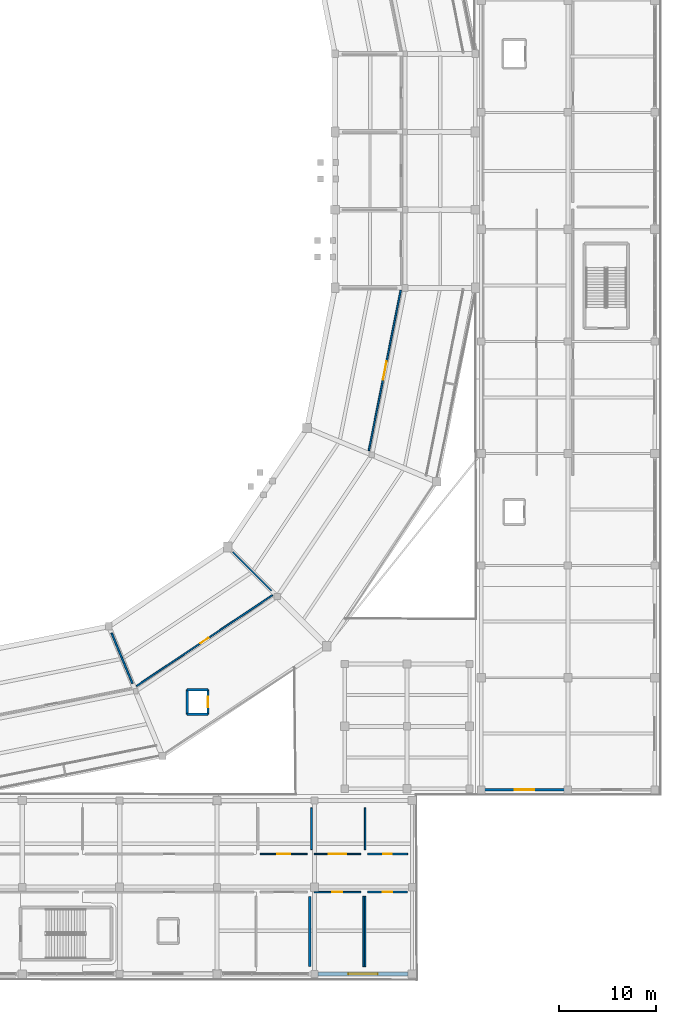
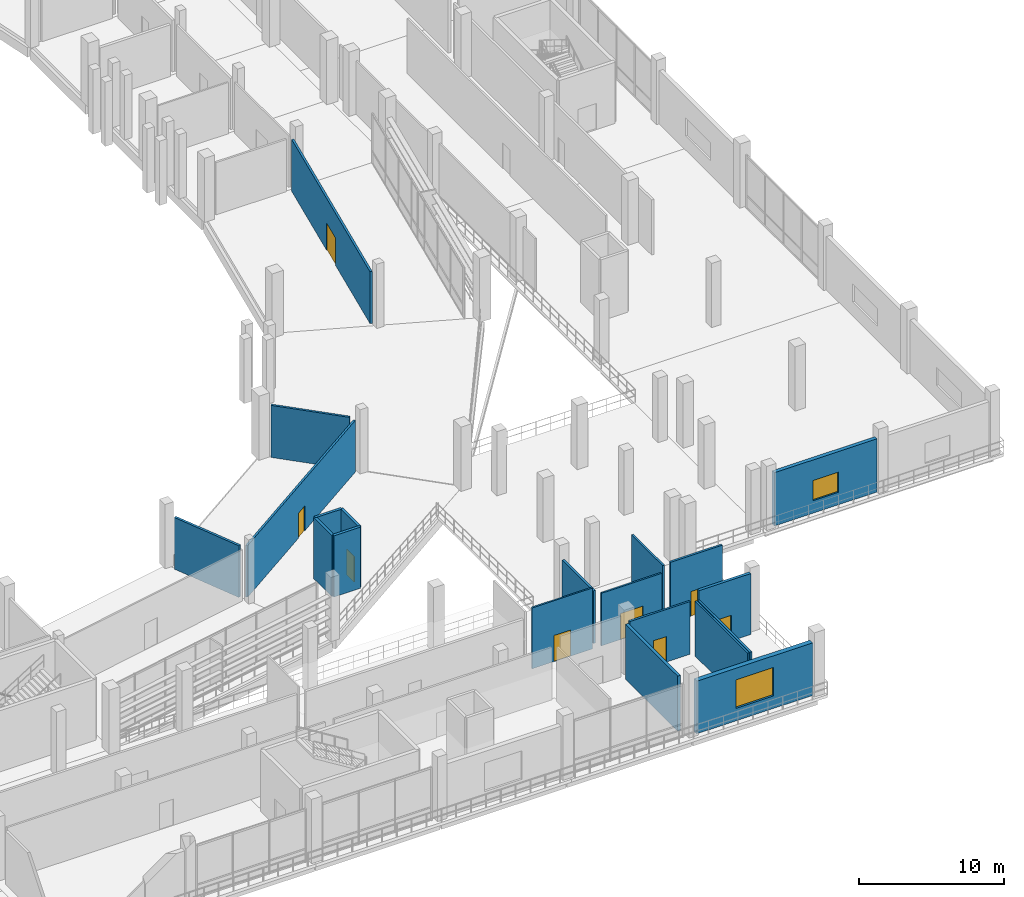
# One storey, part 77 of 114: 20 walls, 8 doors, 2 windows, 10 openings.
"""IFC4 building model written with IfcOpenShell, lengths in metres."""

from ifc_helpers import new_model, si_unit, direction, frame, frame_2d, origin, place, context, subcontext, project, spatial, rectangle, extrude, material, layer, layer_set, type_object, element, fill, save


model = new_model("IFC4")

# Units and contexts
model_context = context("Model", 3, precision=1e-05, world=origin(), true_north=direction((0.0, 1.0)))
body_context = subcontext(model_context, "Body", "Model", "MODEL_VIEW")
ifc_project = project(units=[si_unit("LENGTHUNIT", "METRE"), si_unit("AREAUNIT", "SQUARE_METRE"), si_unit("VOLUMEUNIT", "CUBIC_METRE"), si_unit("PLANEANGLEUNIT", "RADIAN"), si_unit("MASSUNIT", "GRAM", prefix="KILO")], contexts=[model_context])

# Site, building, storey
site_placement = place(None, origin())
site = spatial("IfcSite", under=ifc_project, at=site_placement, CompositionType="ELEMENT")
building_placement = place(site_placement, origin())
building = spatial("IfcBuilding", under=site, at=building_placement, Name="Candeia Ridge Stadium", CompositionType="ELEMENT")
storey_placement = place(building_placement, frame((0.0, 0.0, 5.39990234375)))
storey = spatial("IfcBuildingStorey", under=building, at=storey_placement, Name="L01", CompositionType="ELEMENT", Elevation=5.39990234375)

# Wall
ifc_material_1 = material(Name="Gypsum Metal-Stud Partition", Category="gypsum")
ifc_layer_1 = layer(ifc_material_1, 0.14501953125, Name="Gypsum Metal-Stud Partition", Category="gypsum")
ifc_layer_set_1 = layer_set([ifc_layer_1], Name="Gypsum Metal-Stud Partition")
wall_type_1 = type_object("IfcWallType", Name="Athlete Recovery Partition 145", PredefinedType="PARTITIONING", material=ifc_layer_set_1)
wall_1_placement = place(storey_placement, frame((181.5, 8.550048828125, 0.0), z_axis=(0.0, 0.0, 1.0), x_axis=(0.0, -1.0, 0.0)))
element("IfcWall", 1, at=wall_1_placement, inside=storey, type_object=wall_type_1, Name="Demising partition PT-L01-0245", PredefinedType="PARTITIONING", context=body_context, shape_type="SweptSolid", body=[
    extrude(rectangle(XDim=7.199951171875, YDim=0.14501953125, at=frame_2d((3.60009765625, 0.0))), origin(), (0.0, 0.0, 1.0), 4.625),
])

# Wall, opening, door
ifc_material_2 = material(Name="Gypsum Acoustic Twin-Stud Assembly", Category="gypsum")
ifc_layer_2 = layer(ifc_material_2, 0.159912109375, Name="Gypsum Acoustic Twin-Stud Assembly", Category="gypsum")
ifc_layer_set_2 = layer_set([ifc_layer_2], Name="Gypsum Acoustic Twin-Stud Assembly")
wall_type_2 = type_object("IfcWallType", Name="Club Dining Acoustic Partition 160", PredefinedType="PARTITIONING", material=ifc_layer_set_2)
wall_2_placement = place(storey_placement, frame((172.1875, 39.465576171875, 0.0), z_axis=(0.0, 0.0, 1.0), x_axis=(-0.831467963177, -0.555572701103, 0.0)))
wall_2 = element("IfcWall", 2, at=wall_2_placement, inside=storey, type_object=wall_type_2, Name="Interior partition PT-L01-0318", PredefinedType="PARTITIONING", context=body_context, shape_type="SweptSolid", body=[
    extrude(rectangle(XDim=16.782958984375, YDim=0.159912109375, at=frame_2d((8.3916015625, 0.0))), origin(), (0.0, 0.0, 1.0), 4.34521484375),
])
opening_1_placement = place(wall_2_placement, frame((7.8916015625, 0.0, 0.0)))
opening_1 = element("IfcOpeningElement", 3, at=opening_1_placement, cuts=wall_2, Name="Opening ID06", PredefinedType="OPENING", context=body_context, shape_type="SweptSolid", body=[
    extrude(rectangle(XDim=1.0, YDim=2.10009765625, at=frame_2d((0.5, 1.050048828125))), frame((0.0, 0.08984375, 0.0), z_axis=(0.0, -1.0, 0.0), x_axis=(1.0, 0.0, 0.0)), (0.0, 0.0, 1.0), 0.179931640625),
])
ifc_material_3 = material(Name="Moisture-Resistant Laminate", Category="wood")
door_type_1 = type_object("IfcDoorType", Name="Accessible Sanitary Door 1000x2100", OperationType="NOTDEFINED", PredefinedType="DOOR", material=ifc_material_3)
door_1_placement = place(opening_1_placement, origin())
door_1 = element("IfcDoor", 4, at=door_1_placement, inside=storey, type_object=door_type_1, Name="Interior room door D-L01-0164", OperationType="SINGLE_SWING_RIGHT", OverallHeight=2.10009765625, OverallWidth=1.0, PredefinedType="DOOR", context=body_context, shape_type="SweptSolid", body=[
    extrude(rectangle(XDim=1.0, YDim=2.10009765625, at=frame_2d((0.5, 1.050048828125))), frame((0.0, 0.02490234375, 0.0), z_axis=(0.0, -1.0, 0.0), x_axis=(1.0, 0.0, 0.0)), (0.0, 0.0, 1.0), 0.050048828125),
])
fill(opening_1, door_1)

# Walls
ifc_material_4 = material(Name="Concrete Masonry Blockwork C25/30", Category="masonry")
ifc_layer_3 = layer(ifc_material_4, 0.14990234375, Name="Concrete Masonry Blockwork C25/30", Category="masonry")
ifc_layer_set_3 = layer_set([ifc_layer_3], Name="Concrete Masonry Blockwork C25/30")
wall_type_3 = type_object("IfcWallType", Name="Concourse Kiosk Partition 150", PredefinedType="PARTITIONING", material=ifc_layer_set_3)
wall_3_placement = place(storey_placement, frame((181.699951171875, 13.35009765625, 0.0), z_axis=(0.0, 0.0, 1.0), x_axis=(0.0, 1.0, 0.0)))
element("IfcWall", 5, at=wall_3_placement, inside=storey, type_object=wall_type_3, Name="Demising partition PT-L01-0251", PredefinedType="PARTITIONING", context=body_context, shape_type="SweptSolid", body=[
    extrude(rectangle(XDim=4.2998046875, YDim=0.14990234375, at=frame_2d((2.14990234375, 0.0))), origin(), (0.0, 0.0, 1.0), 4.625),
])
ifc_material_5 = material(Name="Moisture-Resistant Masonry & Tile", Category="masonry")
ifc_layer_4 = layer(ifc_material_5, 0.22998046875, Name="Moisture-Resistant Masonry & Tile", Category="masonry")
ifc_layer_set_4 = layer_set([ifc_layer_4], Name="Moisture-Resistant Masonry & Tile")
wall_type_4 = type_object("IfcWallType", Name="Dressing Suite Wet-Wall Chase 230", PredefinedType="PLUMBINGWALL", material=ifc_layer_set_4)
wall_4_placement = place(storey_placement, frame((176.0, 8.550048828125, 0.0), z_axis=(0.0, 0.0, 1.0), x_axis=(0.0, -1.0, 0.0)))
element("IfcWall", 6, at=wall_4_placement, inside=storey, type_object=wall_type_4, Name="Demising partition PT-L01-0241", PredefinedType="PLUMBINGWALL", context=body_context, shape_type="SweptSolid", body=[
    extrude(rectangle(XDim=7.199951171875, YDim=0.22998046875, at=frame_2d((3.60009765625, 0.0))), origin(), (0.0, 0.0, 1.0), 4.625),
])

# Wall, opening, door
wall_5_placement = place(storey_placement, frame((181.949951171875, 9.0, 0.0), z_axis=(0.0, 0.0, 1.0), x_axis=(1.0, 0.0, 0.0)))
wall_5 = element("IfcWall", 7, at=wall_5_placement, inside=storey, type_object=wall_type_4, Name="Interior partition PT-L01-0248", PredefinedType="PLUMBINGWALL", context=body_context, shape_type="SweptSolid", body=[
    extrude(rectangle(XDim=4.10009765625, YDim=0.22998046875, at=frame_2d((2.050048828125, 0.0))), origin(), (0.0, 0.0, 1.0), 5.1201171875),
])
opening_2_placement = place(wall_5_placement, frame((1.550048828125, 0.0, 0.0)))
opening_2 = element("IfcOpeningElement", 8, at=opening_2_placement, cuts=wall_5, Name="Opening ID04", PredefinedType="OPENING", context=body_context, shape_type="SweptSolid", body=[
    extrude(rectangle(XDim=1.0, YDim=2.14990234375, at=frame_2d((0.5, 1.074951171875))), frame((0.0, 0.125, 0.0), z_axis=(0.0, -1.0, 0.0), x_axis=(1.0, 0.0, 0.0)), (0.0, 0.0, 1.0), 0.25),
])
ifc_material_6 = material(Name="Powder-Coated Hollow Metal", Category="steel")
door_type_2 = type_object("IfcDoorType", Name="Concourse Kiosk Service Door 1000x2150", OperationType="NOTDEFINED", PredefinedType="DOOR", material=ifc_material_6)
door_2_placement = place(opening_2_placement, frame((1.0, 0.0, 0.0), z_axis=(0.0, 0.0, 1.0), x_axis=(-1.0, 0.0, 0.0)))
door_2 = element("IfcDoor", 9, at=door_2_placement, inside=storey, type_object=door_type_2, Name="Interior room door D-L01-0129", OperationType="SINGLE_SWING_LEFT", OverallHeight=2.14990234375, OverallWidth=1.0, PredefinedType="DOOR", context=body_context, shape_type="SweptSolid", body=[
    extrude(rectangle(XDim=1.0, YDim=2.14990234375, at=frame_2d((0.5, 1.074951171875))), frame((0.0, 0.02490234375, 0.0), z_axis=(0.0, -1.0, 0.0), x_axis=(1.0, 0.0, 0.0)), (0.0, 0.0, 1.0), 0.050048828125),
])
fill(opening_2, door_2)

# Wall, opening, window
ifc_material_7 = material(Name="Concrete C40/50", Category="concrete")
ifc_layer_5 = layer(ifc_material_7, 0.3798828125, Name="Concrete C40/50", Category="concrete")
ifc_layer_set_5 = layer_set([ifc_layer_5], Name="Concrete C40/50")
wall_type_5 = type_object("IfcWallType", Name="Exterior Museum Gallery Wall 380", PredefinedType="SOLIDWALL", material=ifc_layer_set_5)
wall_6_placement = place(storey_placement, frame((176.863037109375, 0.60009765625, 0.0), z_axis=(0.0, 0.0, 1.0), x_axis=(1.0, 0.0, 0.0)))
wall_6 = element("IfcWall", 10, at=wall_6_placement, inside=storey, type_object=wall_type_5, Name="Exterior facade wall EW-L01-0175", PredefinedType="SOLIDWALL", context=body_context, shape_type="SweptSolid", body=[
    extrude(rectangle(XDim=9.223876953125, YDim=0.3798828125, at=frame_2d((4.61181640625, 0.0))), origin(), (0.0, 0.0, 1.0), 4.425048828125),
])
opening_3_placement = place(wall_6_placement, frame((3.112060546875, 0.0, 1.050048828125)))
opening_3 = element("IfcOpeningElement", 11, at=opening_3_placement, cuts=wall_6, Name="Opening W01", PredefinedType="OPENING", context=body_context, shape_type="SweptSolid", body=[
    extrude(rectangle(XDim=3.0, YDim=2.39990234375, at=frame_2d((1.5, 1.199951171875))), frame((0.0, 0.199951171875, 0.0), z_axis=(0.0, -1.0, 0.0), x_axis=(1.0, 0.0, 0.0)), (0.0, 0.0, 1.0), 0.39990234375),
])
ifc_material_8 = material(Name="Tempered Solar-Control Double Glazing", Category="glass")
window_type_1 = type_object("IfcWindowType", Name="Boulevard Showcase Window 3000x2400", PartitioningType="SINGLE_PANEL", PredefinedType="WINDOW", material=ifc_material_8)
window_1_placement = place(opening_3_placement, origin())
window_1 = element("IfcWindow", 12, at=window_1_placement, inside=storey, type_object=window_type_1, Name="Exterior window WIN-L01-096", OverallHeight=2.39990234375, OverallWidth=3.0, PartitioningType="SINGLE_PANEL", PredefinedType="WINDOW", context=body_context, shape_type="SweptSolid", body=[
    extrude(rectangle(XDim=3.0, YDim=2.39990234375, at=frame_2d((1.5, 1.199951171875))), frame((0.0, 0.030029296875, 0.0), z_axis=(0.0, -1.0, 0.0), x_axis=(1.0, 0.0, 0.0)), (0.0, 0.0, 1.0), 0.06005859375),
])
fill(opening_3, window_1)

ifc_material_9 = material(Name="Concrete C35/45", Category="concrete")
ifc_layer_6 = layer(ifc_material_9, 0.300048828125, Name="Concrete C35/45", Category="concrete")
ifc_layer_set_6 = layer_set([ifc_layer_6], Name="Concrete C35/45")
wall_type_6 = type_object("IfcWallType", Name="Exterior Pavilion Rainscreen Wall 300", PredefinedType="SOLIDWALL", material=ifc_layer_set_6)
wall_7_placement = place(storey_placement, frame((193.962890625, 19.5, 0.0), z_axis=(0.0, 0.0, 1.0), x_axis=(1.0, 0.0, 0.0)))
wall_7 = element("IfcWall", 13, at=wall_7_placement, inside=storey, type_object=wall_type_6, Name="Exterior facade wall EW-L01-0140", PredefinedType="SOLIDWALL", context=body_context, shape_type="SweptSolid", body=[
    extrude(rectangle(XDim=8.174072265625, YDim=0.300048828125, at=frame_2d((4.0869140625, 0.0))), origin(), (0.0, 0.0, 1.0), 4.47509765625),
])
opening_4_placement = place(wall_7_placement, frame((3.0869140625, 0.0, 1.050048828125)))
opening_4 = element("IfcOpeningElement", 14, at=opening_4_placement, cuts=wall_7, Name="Opening W12", PredefinedType="OPENING", context=body_context, shape_type="SweptSolid", body=[
    extrude(rectangle(XDim=2.0, YDim=1.699951171875, at=frame_2d((1.0, 0.85009765625))), frame((0.0, 0.159912109375, 0.0), z_axis=(0.0, -1.0, 0.0), x_axis=(1.0, 0.0, 0.0)), (0.0, 0.0, 1.0), 0.320068359375),
])
window_type_2 = type_object("IfcWindowType", Name="Community Room Window 2000x1700", PartitioningType="SINGLE_PANEL", PredefinedType="WINDOW", material=ifc_material_8)
window_2_placement = place(opening_4_placement, origin())
window_2 = element("IfcWindow", 15, at=window_2_placement, inside=storey, type_object=window_type_2, Name="Exterior window WIN-L01-077", OverallHeight=1.699951171875, OverallWidth=2.0, PartitioningType="SINGLE_PANEL", PredefinedType="WINDOW", context=body_context, shape_type="SweptSolid", body=[
    extrude(rectangle(XDim=2.0, YDim=1.699951171875, at=frame_2d((1.0, 0.85009765625))), frame((0.0, 0.030029296875, 0.0), z_axis=(0.0, -1.0, 0.0), x_axis=(1.0, 0.0, 0.0)), (0.0, 0.0, 1.0), 0.06005859375),
])
fill(opening_4, window_2)

# Wall, opening, door
ifc_layer_7 = layer(ifc_material_1, 0.135009765625, Name="Gypsum Metal-Stud Partition", Category="gypsum")
ifc_layer_set_7 = layer_set([ifc_layer_7], Name="Gypsum Metal-Stud Partition")
wall_type_7 = type_object("IfcWallType", Name="General Room Partition 135", PredefinedType="PARTITIONING", material=ifc_layer_set_7)
wall_8_placement = place(storey_placement, frame((181.25, 12.89990234375, 0.0), z_axis=(0.0, 0.0, 1.0), x_axis=(-1.0, 0.0, 0.0)))
wall_8 = element("IfcWall", 16, at=wall_8_placement, inside=storey, type_object=wall_type_7, Name="Interior partition PT-L01-0246", PredefinedType="PARTITIONING", context=body_context, shape_type="SweptSolid", body=[
    extrude(rectangle(XDim=4.800048828125, YDim=0.135009765625, at=frame_2d((2.39990234375, 0.0))), origin(), (0.0, 0.0, 1.0), 4.425048828125),
])
opening_5_placement = place(wall_8_placement, frame((1.5, 0.0, 0.0)))
opening_5 = element("IfcOpeningElement", 17, at=opening_5_placement, cuts=wall_8, Name="Opening FD03", PredefinedType="OPENING", context=body_context, shape_type="SweptSolid", body=[
    extrude(rectangle(XDim=1.800048828125, YDim=2.199951171875, at=frame_2d((0.89990234375, 1.10009765625))), frame((0.0, 0.077392578125, 0.0), z_axis=(0.0, -1.0, 0.0), x_axis=(1.0, 0.0, 0.0)), (0.0, 0.0, 1.0), 0.155029296875),
])
ifc_material_10 = material(Name="Timber Fire-Rated Acoustic", Category="wood")
door_type_3 = type_object("IfcDoorType", Name="Corridor Compartment Double Door 1800x2200", OperationType="NOTDEFINED", PredefinedType="DOOR", material=ifc_material_10)
door_3_placement = place(opening_5_placement, origin())
door_3 = element("IfcDoor", 18, at=door_3_placement, inside=storey, type_object=door_type_3, Name="Interior room door D-L01-0128", OperationType="DOUBLE_DOOR_SINGLE_SWING", OverallHeight=2.199951171875, OverallWidth=1.800048828125, PredefinedType="DOOR", context=body_context, shape_type="SweptSolid", body=[
    extrude(rectangle(XDim=1.800048828125, YDim=2.199951171875, at=frame_2d((0.89990234375, 1.10009765625))), frame((0.0, 0.02490234375, 0.0), z_axis=(0.0, -1.0, 0.0), x_axis=(1.0, 0.0, 0.0)), (0.0, 0.0, 1.0), 0.050048828125),
])
fill(opening_5, door_3)

ifc_layer_8 = layer(ifc_material_2, 0.1650390625, Name="Gypsum Acoustic Twin-Stud Assembly", Category="gypsum")
ifc_layer_set_8 = layer_set([ifc_layer_8], Name="Gypsum Acoustic Twin-Stud Assembly")
wall_type_8 = type_object("IfcWallType", Name="Hospitality Suite Acoustic Wall 165", PredefinedType="PARTITIONING", material=ifc_layer_set_8)
wall_9_placement = place(storey_placement, frame((176.449951171875, 9.0, 0.0), z_axis=(0.0, 0.0, 1.0), x_axis=(1.0, 0.0, 0.0)))
wall_9 = element("IfcWall", 19, at=wall_9_placement, inside=storey, type_object=wall_type_8, Name="Interior partition PT-L01-0244", PredefinedType="PARTITIONING", context=body_context, shape_type="SweptSolid", body=[
    extrude(rectangle(XDim=4.800048828125, YDim=0.1650390625, at=frame_2d((2.39990234375, 0.0))), origin(), (0.0, 0.0, 1.0), 4.425048828125),
])
opening_6_placement = place(wall_9_placement, frame((1.889892578125, 0.0, 0.0)))
opening_6 = element("IfcOpeningElement", 20, at=opening_6_placement, cuts=wall_9, Name="Opening ID16", PredefinedType="OPENING", context=body_context, shape_type="SweptSolid", body=[
    extrude(rectangle(XDim=1.02001953125, YDim=2.14990234375, at=frame_2d((0.510009765625, 1.074951171875))), frame((0.0, 0.092529296875, 0.0), z_axis=(0.0, -1.0, 0.0), x_axis=(1.0, 0.0, 0.0)), (0.0, 0.0, 1.0), 0.18505859375),
])
ifc_material_11 = material(Name="Solid Core Cedar Veneer", Category="wood")
door_type_4 = type_object("IfcDoorType", Name="Community Classroom Door 1020x2150", OperationType="NOTDEFINED", PredefinedType="DOOR", material=ifc_material_11)
door_4_placement = place(opening_6_placement, origin())
door_4 = element("IfcDoor", 21, at=door_4_placement, inside=storey, type_object=door_type_4, Name="Interior room door D-L01-0127", OperationType="SINGLE_SWING_RIGHT", OverallHeight=2.14990234375, OverallWidth=1.02001953125, PredefinedType="DOOR", context=body_context, shape_type="SweptSolid", body=[
    extrude(rectangle(XDim=1.02001953125, YDim=2.14990234375, at=frame_2d((0.510009765625, 1.074951171875))), frame((0.0, 0.02490234375, 0.0), z_axis=(0.0, -1.0, 0.0), x_axis=(1.0, 0.0, 0.0)), (0.0, 0.0, 1.0), 0.050048828125),
])
fill(opening_6, door_4)

# Walls
wall_10_placement = place(storey_placement, frame((181.699951171875, 1.35009765625, 0.0), z_axis=(0.0, 0.0, 1.0), x_axis=(0.0, 1.0, 0.0)))
element("IfcWall", 22, at=wall_10_placement, inside=storey, type_object=wall_type_8, Name="Demising partition PT-L01-0249", PredefinedType="PARTITIONING", context=body_context, shape_type="SweptSolid", body=[
    extrude(rectangle(XDim=7.199951171875, YDim=0.1650390625, at=frame_2d((3.60009765625, 0.0))), origin(), (0.0, 0.0, 1.0), 4.625),
])
wall_11_placement = place(storey_placement, frame((168.117431640625, 43.882568359375, 0.0), z_axis=(0.0, 0.0, 1.0), x_axis=(0.707106781187, -0.707106781187, 0.0)))
element("IfcWall", 23, at=wall_11_placement, inside=storey, type_object=wall_type_8, Name="Demising partition PT-L01-0319", PredefinedType="PARTITIONING", context=body_context, shape_type="SweptSolid", body=[
    extrude(rectangle(XDim=5.600341796875, YDim=0.1650390625, at=frame_2d((2.80029296875, 0.0))), origin(), (0.0, 0.0, 1.0), 4.375),
])

# Wall, opening, door
wall_12_placement = place(storey_placement, frame((185.351318359375, 70.7548828125, 0.0), z_axis=(0.0, 0.0, 1.0), x_axis=(-0.195100557291, -0.980783244425, 0.0)))
wall_12 = element("IfcWall", 24, at=wall_12_placement, inside=storey, type_object=wall_type_8, Name="Interior partition PT-L01-0320", PredefinedType="PARTITIONING", context=body_context, shape_type="SweptSolid", body=[
    extrude(rectangle(XDim=16.783203125, YDim=0.1650390625, at=frame_2d((8.3916015625, 0.0))), origin(), (0.0, 0.0, 1.0), 4.364990234375),
])
opening_7_placement = place(wall_12_placement, frame((7.441650390625, 0.0, 0.0)))
opening_7 = element("IfcOpeningElement", 25, at=opening_7_placement, cuts=wall_12, Name="Opening ID10", PredefinedType="OPENING", context=body_context, shape_type="SweptSolid", body=[
    extrude(rectangle(XDim=1.89990234375, YDim=2.300048828125, at=frame_2d((0.949951171875, 1.14990234375))), frame((0.0, 0.092529296875, 0.0), z_axis=(0.0, -1.0, 0.0), x_axis=(1.0, 0.0, 0.0)), (0.0, 0.0, 1.0), 0.18505859375),
])
door_type_5 = type_object("IfcDoorType", Name="Museum Exhibition Double Door 1900x2300", OperationType="NOTDEFINED", PredefinedType="DOOR", material=ifc_material_10)
door_5_placement = place(opening_7_placement, origin())
door_5 = element("IfcDoor", 26, at=door_5_placement, inside=storey, type_object=door_type_5, Name="Interior room door D-L01-0165", OperationType="DOUBLE_DOOR_SINGLE_SWING", OverallHeight=2.300048828125, OverallWidth=1.89990234375, PredefinedType="DOOR", context=body_context, shape_type="SweptSolid", body=[
    extrude(rectangle(XDim=1.89990234375, YDim=2.300048828125, at=frame_2d((0.949951171875, 1.14990234375))), frame((0.0, 0.02490234375, 0.0), z_axis=(0.0, -1.0, 0.0), x_axis=(1.0, 0.0, 0.0)), (0.0, 0.0, 1.0), 0.050048828125),
])
fill(opening_7, door_5)

# Wall
ifc_layer_9 = layer(ifc_material_7, 0.219970703125, Name="Concrete C40/50", Category="concrete")
ifc_layer_set_9 = layer_set([ifc_layer_9], Name="Concrete C40/50")
wall_type_9 = type_object("IfcWallType", Name="Lift & Riser Shaft Wall 220", PredefinedType="SHEAR", material=ifc_layer_set_9)
wall_13_placement = place(storey_placement, frame((163.43994140625, 27.239990234375, 0.0), z_axis=(0.0, 0.0, 1.0), x_axis=(1.0, 0.0, 0.0)))
element("IfcWall", 27, at=wall_13_placement, inside=storey, type_object=wall_type_9, Name="Lift EL1 shaft wall L01 south", PredefinedType="SHEAR", context=body_context, shape_type="SweptSolid", body=[
    extrude(rectangle(XDim=2.1201171875, YDim=0.219970703125, at=frame_2d((1.06005859375, 0.0))), origin(), (0.0, 0.0, 1.0), 5.14013671875),
])

# Wall, opening, door
wall_14_placement = place(storey_placement, frame((165.56005859375, 27.239990234375, 0.0), z_axis=(0.0, 0.0, 1.0), x_axis=(0.0, 1.0, 0.0)))
wall_14 = element("IfcWall", 28, at=wall_14_placement, inside=storey, type_object=wall_type_9, Name="Lift EL1 shaft wall L01 east", PredefinedType="SHEAR", context=body_context, shape_type="SweptSolid", body=[
    extrude(rectangle(XDim=2.52001953125, YDim=0.219970703125, at=frame_2d((1.260009765625, 0.0))), origin(), (0.0, 0.0, 1.0), 5.14013671875),
])
opening_8_placement = place(wall_14_placement, frame((0.735107421875, 0.0, 0.0)))
opening_8 = element("IfcOpeningElement", 29, at=opening_8_placement, cuts=wall_14, Name="Opening LD02", PredefinedType="OPENING", context=body_context, shape_type="SweptSolid", body=[
    extrude(rectangle(XDim=1.050048828125, YDim=2.14990234375, at=frame_2d((0.52490234375, 1.074951171875))), frame((0.0, 0.119873046875, 0.0), z_axis=(0.0, -1.0, 0.0), x_axis=(1.0, 0.0, 0.0)), (0.0, 0.0, 1.0), 0.239990234375),
])
ifc_material_12 = material(Name="Brushed Stainless Steel", Category="steel")
door_type_6 = type_object("IfcDoorType", Name="Passenger Lift Landing Door 1050x2150", OperationType="NOTDEFINED", PredefinedType="DOOR", material=ifc_material_12)
door_6_placement = place(opening_8_placement, origin())
door_6 = element("IfcDoor", 30, at=door_6_placement, inside=storey, type_object=door_type_6, Name="Lift landing sliding door LD-EL1-L01", OperationType="DOUBLE_DOOR_SLIDING", OverallHeight=2.14990234375, OverallWidth=1.050048828125, PredefinedType="DOOR", context=body_context, shape_type="SweptSolid", body=[
    extrude(rectangle(XDim=1.050048828125, YDim=2.14990234375, at=frame_2d((0.52490234375, 1.074951171875))), frame((0.0, 0.02490234375, 0.0), z_axis=(0.0, -1.0, 0.0), x_axis=(1.0, 0.0, 0.0)), (0.0, 0.0, 1.0), 0.050048828125),
])
fill(opening_8, door_6)

# Walls
wall_15_placement = place(storey_placement, frame((165.56005859375, 29.760009765625, 0.0), z_axis=(0.0, 0.0, 1.0), x_axis=(-1.0, 0.0, 0.0)))
element("IfcWall", 31, at=wall_15_placement, inside=storey, type_object=wall_type_9, Name="Lift EL1 shaft wall L01 north", PredefinedType="SHEAR", context=body_context, shape_type="SweptSolid", body=[
    extrude(rectangle(XDim=2.1201171875, YDim=0.219970703125, at=frame_2d((1.06005859375, 0.0))), origin(), (0.0, 0.0, 1.0), 5.14013671875),
])
wall_16_placement = place(storey_placement, frame((163.43994140625, 29.760009765625, 0.0), z_axis=(0.0, 0.0, 1.0), x_axis=(0.0, -1.0, 0.0)))
element("IfcWall", 32, at=wall_16_placement, inside=storey, type_object=wall_type_9, Name="Lift EL1 shaft wall L01 west", PredefinedType="SHEAR", context=body_context, shape_type="SweptSolid", body=[
    extrude(rectangle(XDim=2.52001953125, YDim=0.219970703125, at=frame_2d((1.260009765625, 0.0))), origin(), (0.0, 0.0, 1.0), 5.14013671875),
])
ifc_material_13 = material(Name="Gypsum Acoustic Triple-Board Wall", Category="gypsum")
ifc_layer_10 = layer(ifc_material_13, 0.18505859375, Name="Gypsum Acoustic Triple-Board Wall", Category="gypsum")
ifc_layer_set_10 = layer_set([ifc_layer_10], Name="Gypsum Acoustic Triple-Board Wall")
wall_type_10 = type_object("IfcWallType", Name="Media Booth Studio Divider 185", PredefinedType="PARTITIONING", material=ifc_layer_set_10)
wall_17_placement = place(storey_placement, frame((176.199951171875, 13.35009765625, 0.0), z_axis=(0.0, 0.0, 1.0), x_axis=(0.0, 1.0, 0.0)))
element("IfcWall", 33, at=wall_17_placement, inside=storey, type_object=wall_type_10, Name="Demising partition PT-L01-0247", PredefinedType="PARTITIONING", context=body_context, shape_type="SweptSolid", body=[
    extrude(rectangle(XDim=4.2998046875, YDim=0.18505859375, at=frame_2d((2.14990234375, 0.0))), origin(), (0.0, 0.0, 1.0), 4.425048828125),
])
wall_18_placement = place(storey_placement, frame((155.67578125, 35.5693359375, 0.0), z_axis=(0.0, 0.0, 1.0), x_axis=(0.382682918336, -0.923879745429, 0.0)))
element("IfcWall", 34, at=wall_18_placement, inside=storey, type_object=wall_type_10, Name="Demising partition PT-L01-0317", PredefinedType="PARTITIONING", context=body_context, shape_type="SweptSolid", body=[
    extrude(rectangle(XDim=5.60009765625, YDim=0.18505859375, at=frame_2d((2.800048828125, 0.0))), origin(), (0.0, 0.0, 1.0), 4.34521484375),
])

# Wall, opening, door
ifc_layer_11 = layer(ifc_material_2, 0.169921875, Name="Gypsum Acoustic Twin-Stud Assembly", Category="gypsum")
ifc_layer_set_11 = layer_set([ifc_layer_11], Name="Gypsum Acoustic Twin-Stud Assembly")
wall_type_11 = type_object("IfcWallType", Name="Skybox Demising Acoustic Wall 170", PredefinedType="PARTITIONING", material=ifc_layer_set_11)
wall_19_placement = place(storey_placement, frame((186.050048828125, 12.89990234375, 0.0), z_axis=(0.0, 0.0, 1.0), x_axis=(-1.0, 0.0, 0.0)))
wall_19 = element("IfcWall", 35, at=wall_19_placement, inside=storey, type_object=wall_type_11, Name="Interior partition PT-L01-0250", PredefinedType="PARTITIONING", context=body_context, shape_type="SweptSolid", body=[
    extrude(rectangle(XDim=4.10009765625, YDim=0.169921875, at=frame_2d((2.050048828125, 0.0))), origin(), (0.0, 0.0, 1.0), 5.1201171875),
])
opening_9_placement = place(wall_19_placement, frame((1.60009765625, 0.0, 0.0)))
opening_9 = element("IfcOpeningElement", 36, at=opening_9_placement, cuts=wall_19, Name="Opening ID07", PredefinedType="OPENING", context=body_context, shape_type="SweptSolid", body=[
    extrude(rectangle(XDim=0.89990234375, YDim=2.10009765625, at=frame_2d((0.449951171875, 1.050048828125))), frame((0.0, 0.094970703125, 0.0), z_axis=(0.0, -1.0, 0.0), x_axis=(1.0, 0.0, 0.0)), (0.0, 0.0, 1.0), 0.18994140625),
])
door_type_7 = type_object("IfcDoorType", Name="Sanitary Lobby Single Door 900x2100", OperationType="NOTDEFINED", PredefinedType="DOOR", material=ifc_material_3)
door_7_placement = place(opening_9_placement, frame((0.89990234375, 0.0, 0.0), z_axis=(0.0, 0.0, 1.0), x_axis=(-1.0, 0.0, 0.0)))
door_7 = element("IfcDoor", 37, at=door_7_placement, inside=storey, type_object=door_type_7, Name="Interior room door D-L01-0130", OperationType="SINGLE_SWING_RIGHT", OverallHeight=2.10009765625, OverallWidth=0.89990234375, PredefinedType="DOOR", context=body_context, shape_type="SweptSolid", body=[
    extrude(rectangle(XDim=0.89990234375, YDim=2.10009765625, at=frame_2d((0.449951171875, 1.050048828125))), frame((0.0, 0.02490234375, 0.0), z_axis=(0.0, -1.0, 0.0), x_axis=(1.0, 0.0, 0.0)), (0.0, 0.0, 1.0), 0.050048828125),
])
fill(opening_9, door_7)

ifc_layer_12 = layer(ifc_material_1, 0.1298828125, Name="Gypsum Metal-Stud Partition", Category="gypsum")
ifc_layer_set_12 = layer_set([ifc_layer_12], Name="Gypsum Metal-Stud Partition")
wall_type_12 = type_object("IfcWallType", Name="Ticketing Back-Office Partition 130", PredefinedType="PARTITIONING", material=ifc_layer_set_12)
wall_20_placement = place(storey_placement, frame((175.75, 12.89990234375, 0.0), z_axis=(0.0, 0.0, 1.0), x_axis=(-1.0, 0.0, 0.0)))
wall_20 = element("IfcWall", 38, at=wall_20_placement, inside=storey, type_object=wall_type_12, Name="Interior partition PT-L01-0242", PredefinedType="PARTITIONING", context=body_context, shape_type="SweptSolid", body=[
    extrude(rectangle(XDim=4.800048828125, YDim=0.1298828125, at=frame_2d((2.39990234375, 0.0))), origin(), (0.0, 0.0, 1.0), 5.1201171875),
])
opening_10_placement = place(wall_20_placement, frame((1.75, 0.0, 0.0)))
opening_10 = element("IfcOpeningElement", 39, at=opening_10_placement, cuts=wall_20, Name="Opening ID13", PredefinedType="OPENING", context=body_context, shape_type="SweptSolid", body=[
    extrude(rectangle(XDim=1.300048828125, YDim=2.199951171875, at=frame_2d((0.64990234375, 1.10009765625))), frame((0.0, 0.074951171875, 0.0), z_axis=(0.0, -1.0, 0.0), x_axis=(1.0, 0.0, 0.0)), (0.0, 0.0, 1.0), 0.14990234375),
])
door_type_8 = type_object("IfcDoorType", Name="Medical Clinic Wide Door 1300x2200", OperationType="NOTDEFINED", PredefinedType="DOOR", material=ifc_material_3)
door_8_placement = place(opening_10_placement, origin())
door_8 = element("IfcDoor", 40, at=door_8_placement, inside=storey, type_object=door_type_8, Name="Interior room door D-L01-0126", OperationType="SINGLE_SWING_LEFT", OverallHeight=2.199951171875, OverallWidth=1.300048828125, PredefinedType="DOOR", context=body_context, shape_type="SweptSolid", body=[
    extrude(rectangle(XDim=1.300048828125, YDim=2.199951171875, at=frame_2d((0.64990234375, 1.10009765625))), frame((0.0, 0.02490234375, 0.0), z_axis=(0.0, -1.0, 0.0), x_axis=(1.0, 0.0, 0.0)), (0.0, 0.0, 1.0), 0.050048828125),
])
fill(opening_10, door_8)

save(model, "model.ifc")
